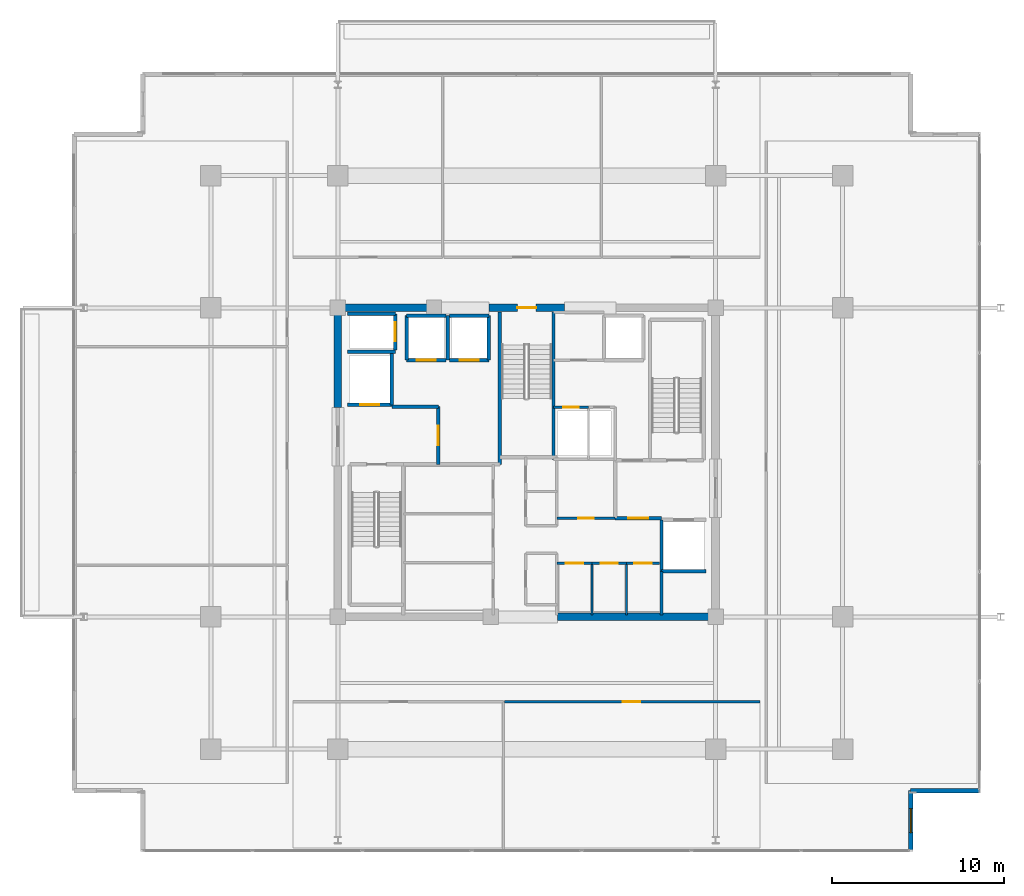
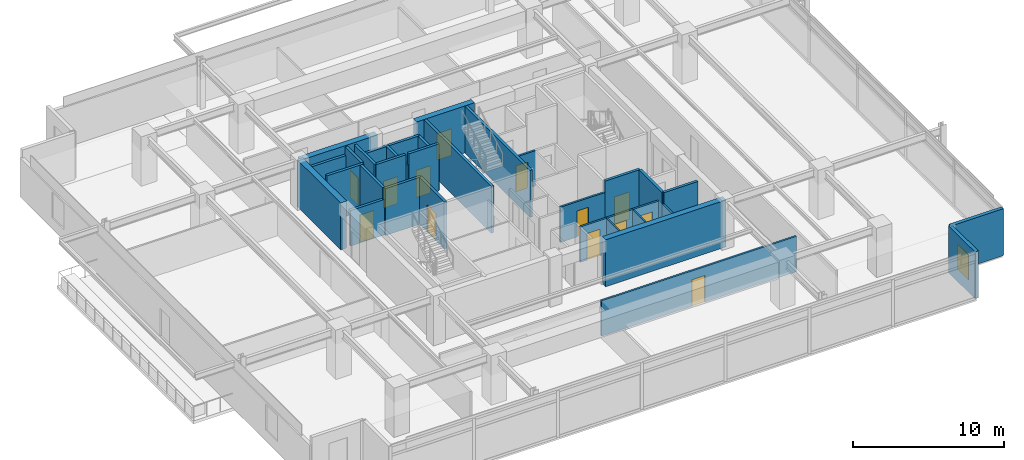
# One storey, part 16 of 21: 34 walls, 13 doors, 1 window, 14 openings.
"""IFC4 building model written with IfcOpenShell, lengths in metres."""

from ifc_helpers import new_model, si_unit, direction, frame, frame_2d, origin, place, context, subcontext, project, spatial, rectangle, extrude, material, layer, layer_set, type_object, element, fill, save


model = new_model("IFC4")

# Units and contexts
model_context = context("Model", 3, precision=1e-05, world=origin(), true_north=direction((0.0, 1.0)))
body_context = subcontext(model_context, "Body", "Model", "MODEL_VIEW")
ifc_project = project(units=[si_unit("LENGTHUNIT", "METRE"), si_unit("AREAUNIT", "SQUARE_METRE"), si_unit("VOLUMEUNIT", "CUBIC_METRE"), si_unit("PLANEANGLEUNIT", "RADIAN"), si_unit("MASSUNIT", "GRAM", prefix="KILO")], contexts=[model_context])

# Site, building, storey
site_placement = place(None, origin())
site = spatial("IfcSite", under=ifc_project, at=site_placement, CompositionType="ELEMENT")
building_placement = place(site_placement, origin())
building = spatial("IfcBuilding", under=site, at=building_placement, Name="Kovane Verandah Tower", CompositionType="ELEMENT")
storey_placement = place(building_placement, frame((0.0, 0.0, 247.199951171875)))
storey = spatial("IfcBuildingStorey", under=building, at=storey_placement, Name="L57", CompositionType="ELEMENT", Elevation=247.199951171875)

# Wall
ifc_material_1 = material(Name="Fire-Rated Gypsum Stud Partition", Category="gypsum")
ifc_layer_1 = layer(ifc_material_1, 0.14990234375)
ifc_layer_set_1 = layer_set([ifc_layer_1], Name="Fire-Rated Gypsum Stud Partition")
wall_type_1 = type_object("IfcWallType", Name="WL-COR-150", PredefinedType="PARTITIONING", material=ifc_layer_set_1)
wall_1_placement = place(storey_placement, frame((47.85009765625, 18.60009765625, 0.0), z_axis=(0.0, 0.0, 1.0), x_axis=(0.0, 1.0, 0.0)))
element("IfcWall", 1, at=wall_1_placement, inside=storey, type_object=wall_type_1, Name="L57 East Core Support East Wall", PredefinedType="PARTITIONING", context=body_context, shape_type="SweptSolid", body=[
    extrude(rectangle(XDim=2.539794921875, YDim=0.14990234375, at=frame_2d((1.27001953125, 0.0))), origin(), (0.0, 0.0, 1.0), 2.85009765625),
])

# Wall, opening, door
wall_2_placement = place(storey_placement, frame((41.760009765625, 21.6201171875, 0.0), z_axis=(0.0, 0.0, 1.0), x_axis=(1.0, 0.0, 0.0)))
wall_2 = element("IfcWall", 2, at=wall_2_placement, inside=storey, type_object=wall_type_1, Name="L57 Mail and Copy Room Partition", PredefinedType="PARTITIONING", context=body_context, shape_type="SweptSolid", body=[
    extrude(rectangle(XDim=2.0400390625, YDim=0.14990234375, at=frame_2d((1.02001953125, 0.0))), origin(), (0.0, 0.0, 1.0), 2.85009765625),
])
opening_1_placement = place(wall_2_placement, frame((0.52001953125, 0.0, 0.0)))
opening_1 = element("IfcOpeningElement", 3, at=opening_1_placement, cuts=wall_2, Name="Opening DR-L57-015", PredefinedType="OPENING", context=body_context, shape_type="SweptSolid", body=[
    extrude(rectangle(XDim=1.0, YDim=2.14990234375, at=frame_2d((0.5, 1.074951171875))), frame((0.0, 0.074951171875, 0.0), z_axis=(0.0, -1.0, 0.0), x_axis=(1.0, 0.0, 0.0)), (0.0, 0.0, 1.0), 0.14990234375),
])
ifc_material_2 = material(Name="FSC Spotted-Gum Timber Fire-Rated Office Door", Category="wood")
door_type_1 = type_object("IfcDoorType", Name="DR-OFF-1000", OperationType="SINGLE_SWING_LEFT", PredefinedType="DOOR", material=ifc_material_2)
door_1_placement = place(opening_1_placement, origin())
door_1 = element("IfcDoor", 4, at=door_1_placement, inside=storey, type_object=door_type_1, Name="L57 Mail and Copy Room Door", OperationType="SINGLE_SWING_RIGHT", OverallHeight=2.14990234375, OverallWidth=1.0, PredefinedType="DOOR", context=body_context, shape_type="SweptSolid", body=[
    extrude(rectangle(XDim=1.0, YDim=2.14990234375, at=frame_2d((0.5, 1.074951171875))), frame((0.0, 0.02490234375, 0.0), z_axis=(0.0, -1.0, 0.0), x_axis=(1.0, 0.0, 0.0)), (0.0, 0.0, 1.0), 0.050048828125),
])
fill(opening_1, door_1)

wall_3_placement = place(storey_placement, frame((43.800048828125, 21.6201171875, 0.0), z_axis=(0.0, 0.0, 1.0), x_axis=(1.0, 0.0, 0.0)))
wall_3 = element("IfcWall", 5, at=wall_3_placement, inside=storey, type_object=wall_type_1, Name="L57 First Aid Room Partition", PredefinedType="PARTITIONING", context=body_context, shape_type="SweptSolid", body=[
    extrude(rectangle(XDim=2.0, YDim=0.14990234375, at=frame_2d((1.0, 0.0))), origin(), (0.0, 0.0, 1.0), 2.85009765625),
])
opening_2_placement = place(wall_3_placement, frame((0.5, 0.0, 0.0)))
opening_2 = element("IfcOpeningElement", 6, at=opening_2_placement, cuts=wall_3, Name="Opening DR-L57-016", PredefinedType="OPENING", context=body_context, shape_type="SweptSolid", body=[
    extrude(rectangle(XDim=1.0, YDim=2.14990234375, at=frame_2d((0.5, 1.074951171875))), frame((0.0, 0.074951171875, 0.0), z_axis=(0.0, -1.0, 0.0), x_axis=(1.0, 0.0, 0.0)), (0.0, 0.0, 1.0), 0.14990234375),
])
door_2_placement = place(opening_2_placement, origin())
door_2 = element("IfcDoor", 7, at=door_2_placement, inside=storey, type_object=door_type_1, Name="L57 First Aid Room Door", OperationType="SINGLE_SWING_LEFT", OverallHeight=2.14990234375, OverallWidth=1.0, PredefinedType="DOOR", context=body_context, shape_type="SweptSolid", body=[
    extrude(rectangle(XDim=1.0, YDim=2.14990234375, at=frame_2d((0.5, 1.074951171875))), frame((0.0, 0.02490234375, 0.0), z_axis=(0.0, -1.0, 0.0), x_axis=(1.0, 0.0, 0.0)), (0.0, 0.0, 1.0), 0.050048828125),
])
fill(opening_2, door_2)

wall_4_placement = place(storey_placement, frame((45.800048828125, 21.6201171875, 0.0), z_axis=(0.0, 0.0, 1.0), x_axis=(1.0, 0.0, 0.0)))
wall_4 = element("IfcWall", 8, at=wall_4_placement, inside=storey, type_object=wall_type_1, Name="L57 Quiet Wellness Room Partition", PredefinedType="PARTITIONING", context=body_context, shape_type="SweptSolid", body=[
    extrude(rectangle(XDim=1.93994140625, YDim=0.14990234375, at=frame_2d((0.969970703125, 0.0))), origin(), (0.0, 0.0, 1.0), 2.85009765625),
])
opening_3_placement = place(wall_4_placement, frame((0.469970703125, 0.0, 0.0)))
opening_3 = element("IfcOpeningElement", 9, at=opening_3_placement, cuts=wall_4, Name="Opening DR-L57-017", PredefinedType="OPENING", context=body_context, shape_type="SweptSolid", body=[
    extrude(rectangle(XDim=1.0, YDim=2.14990234375, at=frame_2d((0.5, 1.074951171875))), frame((0.0, 0.074951171875, 0.0), z_axis=(0.0, -1.0, 0.0), x_axis=(1.0, 0.0, 0.0)), (0.0, 0.0, 1.0), 0.14990234375),
])
door_3_placement = place(opening_3_placement, origin())
door_3 = element("IfcDoor", 10, at=door_3_placement, inside=storey, type_object=door_type_1, Name="L57 Quiet Wellness Room Door", OperationType="SINGLE_SWING_RIGHT", OverallHeight=2.14990234375, OverallWidth=1.0, PredefinedType="DOOR", context=body_context, shape_type="SweptSolid", body=[
    extrude(rectangle(XDim=1.0, YDim=2.14990234375, at=frame_2d((0.5, 1.074951171875))), frame((0.0, 0.02490234375, 0.0), z_axis=(0.0, -1.0, 0.0), x_axis=(1.0, 0.0, 0.0)), (0.0, 0.0, 1.0), 0.050048828125),
])
fill(opening_3, door_3)

wall_5_placement = place(storey_placement, frame((41.760009765625, 24.25, 0.0), z_axis=(0.0, 0.0, 1.0), x_axis=(1.0, 0.0, 0.0)))
wall_5 = element("IfcWall", 11, at=wall_5_placement, inside=storey, type_object=wall_type_1, Name="L57 Supply Store Partition", PredefinedType="PARTITIONING", context=body_context, shape_type="SweptSolid", body=[
    extrude(rectangle(XDim=3.389892578125, YDim=0.14990234375, at=frame_2d((1.69482421875, 0.0))), origin(), (0.0, 0.0, 1.0), 2.85009765625),
])
opening_4_placement = place(wall_5_placement, frame((1.2548828125, 0.0, 0.0)))
opening_4 = element("IfcOpeningElement", 12, at=opening_4_placement, cuts=wall_5, Name="Opening DR-L57-018", PredefinedType="OPENING", context=body_context, shape_type="SweptSolid", body=[
    extrude(rectangle(XDim=0.8798828125, YDim=2.10009765625, at=frame_2d((0.43994140625, 1.050048828125))), frame((0.0, 0.074951171875, 0.0), z_axis=(0.0, -1.0, 0.0), x_axis=(1.0, 0.0, 0.0)), (0.0, 0.0, 1.0), 0.14990234375),
])
ifc_material_3 = material(Name="Fire-Rated Steel Riser Access Door", Category="steel")
door_type_2 = type_object("IfcDoorType", Name="DR-RISER-880", OperationType="SINGLE_SWING_LEFT", PredefinedType="DOOR", material=ifc_material_3)
door_4_placement = place(opening_4_placement, origin())
door_4 = element("IfcDoor", 13, at=door_4_placement, inside=storey, type_object=door_type_2, Name="L57 Supply Store Door", OperationType="SINGLE_SWING_LEFT", OverallHeight=2.10009765625, OverallWidth=0.8798828125, PredefinedType="DOOR", context=body_context, shape_type="SweptSolid", body=[
    extrude(rectangle(XDim=0.8798828125, YDim=2.10009765625, at=frame_2d((0.43994140625, 1.050048828125))), frame((0.0, 0.02490234375, 0.0), z_axis=(0.0, -1.0, 0.0), x_axis=(1.0, 0.0, 0.0)), (0.0, 0.0, 1.0), 0.050048828125),
])
fill(opening_4, door_4)

wall_6_placement = place(storey_placement, frame((41.56005859375, 30.719970703125, 0.0), z_axis=(0.0, 0.0, 1.0), x_axis=(1.0, 0.0, 0.0)))
wall_6 = element("IfcWall", 14, at=wall_6_placement, inside=storey, type_object=wall_type_1, Name="L57 Electrical Sub-Main Riser Room Partition", PredefinedType="PARTITIONING", context=body_context, shape_type="SweptSolid", body=[
    extrude(rectangle(XDim=2.0400390625, YDim=0.14990234375, at=frame_2d((1.02001953125, 0.0))), origin(), (0.0, 0.0, 1.0), 2.85009765625),
])
opening_5_placement = place(wall_6_placement, frame((0.580078125, 0.0, 0.0)))
opening_5 = element("IfcOpeningElement", 15, at=opening_5_placement, cuts=wall_6, Name="Opening DR-L57-020", PredefinedType="OPENING", context=body_context, shape_type="SweptSolid", body=[
    extrude(rectangle(XDim=0.8798828125, YDim=2.10009765625, at=frame_2d((0.43994140625, 1.050048828125))), frame((0.0, 0.074951171875, 0.0), z_axis=(0.0, -1.0, 0.0), x_axis=(1.0, 0.0, 0.0)), (0.0, 0.0, 1.0), 0.14990234375),
])
door_5_placement = place(opening_5_placement, origin())
door_5 = element("IfcDoor", 16, at=door_5_placement, inside=storey, type_object=door_type_2, Name="L57 Electrical Sub-Main Riser Room Door", OperationType="SINGLE_SWING_RIGHT", OverallHeight=2.10009765625, OverallWidth=0.8798828125, PredefinedType="DOOR", context=body_context, shape_type="SweptSolid", body=[
    extrude(rectangle(XDim=0.8798828125, YDim=2.10009765625, at=frame_2d((0.43994140625, 1.050048828125))), frame((0.0, 0.02490234375, 0.0), z_axis=(0.0, -1.0, 0.0), x_axis=(1.0, 0.0, 0.0)), (0.0, 0.0, 1.0), 0.050048828125),
])
fill(opening_5, door_5)

wall_7_placement = place(storey_placement, frame((38.7099609375, 13.550048828125, 0.0), z_axis=(0.0, 0.0, 1.0), x_axis=(1.0, 0.0, 0.0)))
wall_7 = element("IfcWall", 17, at=wall_7_placement, inside=storey, type_object=wall_type_1, Name="L57 Open Plan Office S2 Corridor Partition", PredefinedType="PARTITIONING", context=body_context, shape_type="SweptSolid", body=[
    extrude(rectangle(XDim=14.89013671875, YDim=0.14990234375, at=frame_2d((7.445068359375, 0.0))), origin(), (0.0, 0.0, 1.0), 2.85009765625),
])
opening_6_placement = place(wall_7_placement, frame((6.89501953125, 0.0, 0.0)))
opening_6 = element("IfcOpeningElement", 18, at=opening_6_placement, cuts=wall_7, Name="Opening DR-L57-026", PredefinedType="OPENING", context=body_context, shape_type="SweptSolid", body=[
    extrude(rectangle(XDim=1.0, YDim=2.14990234375, at=frame_2d((0.5, 1.074951171875))), frame((0.0, 0.074951171875, 0.0), z_axis=(0.0, -1.0, 0.0), x_axis=(1.0, 0.0, 0.0)), (0.0, 0.0, 1.0), 0.14990234375),
])
door_6_placement = place(opening_6_placement, origin())
door_6 = element("IfcDoor", 19, at=door_6_placement, inside=storey, type_object=door_type_1, Name="L57 Open Plan Office S2 Entrance Door", OperationType="SINGLE_SWING_LEFT", OverallHeight=2.14990234375, OverallWidth=1.0, PredefinedType="DOOR", context=body_context, shape_type="SweptSolid", body=[
    extrude(rectangle(XDim=1.0, YDim=2.14990234375, at=frame_2d((0.5, 1.074951171875))), frame((0.0, 0.02490234375, 0.0), z_axis=(0.0, -1.0, 0.0), x_axis=(1.0, 0.0, 0.0)), (0.0, 0.0, 1.0), 0.050048828125),
])
fill(opening_6, door_6)

# Walls
ifc_material_4 = material(Name="Concrete C60/75", Category="concrete")
ifc_layer_2 = layer(ifc_material_4, 0.449951171875)
ifc_layer_set_2 = layer_set([ifc_layer_2], Name="Concrete C60/75")
wall_type_2 = type_object("IfcWallType", Name="WL-CORE-450", PredefinedType="SHEAR", material=ifc_layer_set_2)
wall_8_placement = place(storey_placement, frame((41.800048828125, 18.5, 0.0), z_axis=(0.0, 0.0, 1.0), x_axis=(1.0, 0.0, 0.0)))
element("IfcWall", 20, at=wall_8_placement, inside=storey, type_object=wall_type_2, Name="L57 Core Shear Wall CS-2", PredefinedType="SHEAR", context=body_context, shape_type="SweptSolid", body=[
    extrude(rectangle(XDim=9.199951171875, YDim=0.449951171875, at=frame_2d((4.60009765625, 0.0))), origin(), (0.0, 0.0, 1.0), 3.78515625),
])
wall_9_placement = place(storey_placement, frame((29.0, 36.5, 0.0), z_axis=(0.0, 0.0, 1.0), x_axis=(1.0, 0.0, 0.0)))
element("IfcWall", 21, at=wall_9_placement, inside=storey, type_object=wall_type_2, Name="L57 Core Shear Wall CN-1", PredefinedType="SHEAR", context=body_context, shape_type="SweptSolid", body=[
    extrude(rectangle(XDim=5.800048828125, YDim=0.449951171875, at=frame_2d((2.89990234375, 0.0))), origin(), (0.0, 0.0, 1.0), 3.78515625),
])

# Wall, opening, door
wall_10_placement = place(storey_placement, frame((37.800048828125, 36.5, 0.0), z_axis=(0.0, 0.0, 1.0), x_axis=(1.0, 0.0, 0.0)))
wall_10 = element("IfcWall", 22, at=wall_10_placement, inside=storey, type_object=wall_type_2, Name="L57 Core Shear Wall CN-2", PredefinedType="SHEAR", context=body_context, shape_type="SweptSolid", body=[
    extrude(rectangle(XDim=4.39990234375, YDim=0.449951171875, at=frame_2d((2.199951171875, 0.0))), origin(), (0.0, 0.0, 1.0), 3.78515625),
])
opening_7_placement = place(wall_10_placement, frame((1.64990234375, 0.0, 0.0)))
opening_7 = element("IfcOpeningElement", 23, at=opening_7_placement, cuts=wall_10, Name="Opening DR-L57-010", PredefinedType="OPENING", context=body_context, shape_type="SweptSolid", body=[
    extrude(rectangle(XDim=1.10009765625, YDim=2.14990234375, at=frame_2d((0.550048828125, 1.074951171875))), frame((0.0, 0.22509765625, 0.0), z_axis=(0.0, -1.0, 0.0), x_axis=(1.0, 0.0, 0.0)), (0.0, 0.0, 1.0), 0.449951171875),
])
ifc_material_5 = material(Name="Fire-Rated Steel Exit Door", Category="steel")
door_type_3 = type_object("IfcDoorType", Name="DR-STAIR-1100", OperationType="SINGLE_SWING_LEFT", PredefinedType="DOOR", material=ifc_material_5)
door_7_placement = place(opening_7_placement, origin())
door_7 = element("IfcDoor", 24, at=door_7_placement, inside=storey, type_object=door_type_3, Name="L57 ST-03 Fire Exit Stair Door", OperationType="SINGLE_SWING_LEFT", OverallHeight=2.14990234375, OverallWidth=1.10009765625, PredefinedType="DOOR", context=body_context, shape_type="SweptSolid", body=[
    extrude(rectangle(XDim=1.10009765625, YDim=2.14990234375, at=frame_2d((0.550048828125, 1.074951171875))), frame((0.0, 0.02490234375, 0.0), z_axis=(0.0, -1.0, 0.0), x_axis=(1.0, 0.0, 0.0)), (0.0, 0.0, 1.0), 0.050048828125),
])
fill(opening_7, door_7)

# Wall
wall_11_placement = place(storey_placement, frame((29.0, 30.699951171875, 0.0), z_axis=(0.0, 0.0, 1.0), x_axis=(0.0, 1.0, 0.0)))
element("IfcWall", 25, at=wall_11_placement, inside=storey, type_object=wall_type_2, Name="L57 Core Shear Wall CW-2", PredefinedType="SHEAR", context=body_context, shape_type="SweptSolid", body=[
    extrude(rectangle(XDim=5.800048828125, YDim=0.449951171875, at=frame_2d((2.89990234375, 0.0))), origin(), (0.0, 0.0, 1.0), 3.78515625),
])

# Wall, opening, door
ifc_material_6 = material(Name="Concrete C45/55 Fire Wall", Category="concrete")
ifc_layer_3 = layer(ifc_material_6, 0.199951171875)
ifc_layer_set_3 = layer_set([ifc_layer_3], Name="Concrete C45/55 Fire Wall")
wall_type_3 = type_object("IfcWallType", Name="WL-FFL-200", PredefinedType="PARTITIONING", material=ifc_layer_set_3)
wall_12_placement = place(storey_placement, frame((34.85009765625, 27.3798828125, 0.0), z_axis=(0.0, 0.0, 1.0), x_axis=(0.0, 1.0, 0.0)))
wall_12 = element("IfcWall", 26, at=wall_12_placement, inside=storey, type_object=wall_type_3, Name="W-L57-FFLW-E", PredefinedType="PARTITIONING", context=body_context, shape_type="SweptSolid", body=[
    extrude(rectangle(XDim=3.3701171875, YDim=0.199951171875, at=frame_2d((1.68505859375, 0.0))), origin(), (0.0, 0.0, 1.0), 3.78515625),
])
opening_8_placement = place(wall_12_placement, frame((1.110107421875, 0.0, 0.0)))
opening_8 = element("IfcOpeningElement", 27, at=opening_8_placement, cuts=wall_12, Name="Opening DR-L57-006", PredefinedType="OPENING", context=body_context, shape_type="SweptSolid", body=[
    extrude(rectangle(XDim=1.14990234375, YDim=2.199951171875, at=frame_2d((0.574951171875, 1.10009765625))), frame((0.0, 0.10009765625, 0.0), z_axis=(0.0, -1.0, 0.0), x_axis=(1.0, 0.0, 0.0)), (0.0, 0.0, 1.0), 0.199951171875),
])
ifc_material_7 = material(Name="Smoke-Sealed Firefighting Lobby Door", Category="steel")
door_type_4 = type_object("IfcDoorType", Name="DR-FFL-1150", OperationType="SINGLE_SWING_LEFT", PredefinedType="DOOR", material=ifc_material_7)
door_8_placement = place(opening_8_placement, origin())
door_8 = element("IfcDoor", 28, at=door_8_placement, inside=storey, type_object=door_type_4, Name="L57 West Firefighting Lobby Inner Door", OperationType="SINGLE_SWING_LEFT", OverallHeight=2.199951171875, OverallWidth=1.14990234375, PredefinedType="DOOR", context=body_context, shape_type="SweptSolid", body=[
    extrude(rectangle(XDim=1.14990234375, YDim=2.199951171875, at=frame_2d((0.574951171875, 1.10009765625))), frame((0.0, 0.02490234375, 0.0), z_axis=(0.0, -1.0, 0.0), x_axis=(1.0, 0.0, 0.0)), (0.0, 0.0, 1.0), 0.050048828125),
])
fill(opening_8, door_8)

# Wall
wall_13_placement = place(storey_placement, frame((32.14990234375, 30.75, 0.0), z_axis=(0.0, 0.0, 1.0), x_axis=(1.0, 0.0, 0.0)))
element("IfcWall", 29, at=wall_13_placement, inside=storey, type_object=wall_type_3, Name="L57 West Firefighting Lobby North Fire Wall", PredefinedType="PARTITIONING", context=body_context, shape_type="SweptSolid", body=[
    extrude(rectangle(XDim=2.7001953125, YDim=0.199951171875, at=frame_2d((1.35009765625, 0.0))), origin(), (0.0, 0.0, 1.0), 3.78515625),
])

# Wall, opening, door
wall_14_placement = place(storey_placement, frame((45.14990234375, 24.25, 0.0), z_axis=(0.0, 0.0, 1.0), x_axis=(1.0, 0.0, 0.0)))
wall_14 = element("IfcWall", 30, at=wall_14_placement, inside=storey, type_object=wall_type_3, Name="W-L57-FFLE-S", PredefinedType="PARTITIONING", context=body_context, shape_type="SweptSolid", body=[
    extrude(rectangle(XDim=2.7001953125, YDim=0.199951171875, at=frame_2d((1.35009765625, 0.0))), origin(), (0.0, 0.0, 1.0), 3.78515625),
])
opening_9_placement = place(wall_14_placement, frame((0.77490234375, 0.0, 0.0)))
opening_9 = element("IfcOpeningElement", 31, at=opening_9_placement, cuts=wall_14, Name="Opening DR-L57-003", PredefinedType="OPENING", context=body_context, shape_type="SweptSolid", body=[
    extrude(rectangle(XDim=1.14990234375, YDim=2.199951171875, at=frame_2d((0.574951171875, 1.10009765625))), frame((0.0, 0.10009765625, 0.0), z_axis=(0.0, -1.0, 0.0), x_axis=(1.0, 0.0, 0.0)), (0.0, 0.0, 1.0), 0.199951171875),
])
door_9_placement = place(opening_9_placement, origin())
door_9 = element("IfcDoor", 32, at=door_9_placement, inside=storey, type_object=door_type_4, Name="L57 East Firefighting Lobby Inner Door", OperationType="SINGLE_SWING_RIGHT", OverallHeight=2.199951171875, OverallWidth=1.14990234375, PredefinedType="DOOR", context=body_context, shape_type="SweptSolid", body=[
    extrude(rectangle(XDim=1.14990234375, YDim=2.199951171875, at=frame_2d((0.574951171875, 1.10009765625))), frame((0.0, 0.02490234375, 0.0), z_axis=(0.0, -1.0, 0.0), x_axis=(1.0, 0.0, 0.0)), (0.0, 0.0, 1.0), 0.050048828125),
])
fill(opening_9, door_9)

ifc_material_8 = material(Name="Concrete C45/55 Lift Shaft Wall", Category="concrete")
ifc_layer_4 = layer(ifc_material_8, 0.199951171875)
ifc_layer_set_4 = layer_set([ifc_layer_4], Name="Concrete C45/55 Lift Shaft Wall")
wall_type_4 = type_object("IfcWallType", Name="WL-LIFT-200", PredefinedType="SOLIDWALL", material=ifc_layer_set_4)
wall_15_placement = place(storey_placement, frame((29.550048828125, 30.85009765625, 0.0), z_axis=(0.0, 0.0, 1.0), x_axis=(1.0, 0.0, 0.0)))
wall_15 = element("IfcWall", 33, at=wall_15_placement, inside=storey, type_object=wall_type_4, Name="L57 Lift FL-01 S Shaft Wall", PredefinedType="SOLIDWALL", context=body_context, shape_type="SweptSolid", body=[
    extrude(rectangle(XDim=2.599853515625, YDim=0.199951171875, at=frame_2d((1.2998046875, 0.0))), origin(), (0.0, 0.0, 1.0), 2.864990234375),
])
opening_10_placement = place(wall_15_placement, frame((0.75, 0.0, 0.0)))
opening_10 = element("IfcOpeningElement", 34, at=opening_10_placement, cuts=wall_15, Name="Opening LD-L57-001", PredefinedType="OPENING", context=body_context, shape_type="SweptSolid", body=[
    extrude(rectangle(XDim=1.10009765625, YDim=2.199951171875, at=frame_2d((0.550048828125, 1.10009765625))), frame((0.0, 0.10009765625, 0.0), z_axis=(0.0, -1.0, 0.0), x_axis=(1.0, 0.0, 0.0)), (0.0, 0.0, 1.0), 0.199951171875),
])
ifc_material_9 = material(Name="Brushed Stainless Steel Sliding Lift Landing Door", Category="steel")
door_type_5 = type_object("IfcDoorType", Name="DR-LIFT-1100", OperationType="SLIDING_TO_RIGHT", PredefinedType="DOOR", material=ifc_material_9)
door_10_placement = place(opening_10_placement, origin())
door_10 = element("IfcDoor", 35, at=door_10_placement, inside=storey, type_object=door_type_5, Name="L57 Lift FL-01 Sliding Landing Door", OperationType="SLIDING_TO_RIGHT", OverallHeight=2.199951171875, OverallWidth=1.10009765625, PredefinedType="DOOR", context=body_context, shape_type="SweptSolid", body=[
    extrude(rectangle(XDim=1.10009765625, YDim=2.199951171875, at=frame_2d((0.550048828125, 1.10009765625))), frame((0.0, 0.02490234375, 0.0), z_axis=(0.0, -1.0, 0.0), x_axis=(1.0, 0.0, 0.0)), (0.0, 0.0, 1.0), 0.050048828125),
])
fill(opening_10, door_10)

# Walls
wall_16_placement = place(storey_placement, frame((29.550048828125, 33.949951171875, 0.0), z_axis=(0.0, 0.0, 1.0), x_axis=(1.0, 0.0, 0.0)))
element("IfcWall", 36, at=wall_16_placement, inside=storey, type_object=wall_type_4, Name="L57 Lift FL-01 and GL-01 Shared Shaft Wall", PredefinedType="SOLIDWALL", context=body_context, shape_type="SweptSolid", body=[
    extrude(rectangle(XDim=2.800048828125, YDim=0.199951171875, at=frame_2d((1.39990234375, 0.0))), origin(), (0.0, 0.0, 1.0), 3.78515625),
])
wall_17_placement = place(storey_placement, frame((32.14990234375, 30.85009765625, 0.0), z_axis=(0.0, 0.0, 1.0), x_axis=(0.0, 1.0, 0.0)))
element("IfcWall", 37, at=wall_17_placement, inside=storey, type_object=wall_type_4, Name="L57 Lift FL-01 E Shaft Wall", PredefinedType="SOLIDWALL", context=body_context, shape_type="SweptSolid", body=[
    extrude(rectangle(XDim=3.0, YDim=0.199951171875, at=frame_2d((1.5, 0.0))), origin(), (0.0, 0.0, 1.0), 3.78515625),
])
wall_18_placement = place(storey_placement, frame((47.85009765625, 21.14990234375, 0.0), z_axis=(0.0, 0.0, 1.0), x_axis=(1.0, 0.0, 0.0)))
element("IfcWall", 38, at=wall_18_placement, inside=storey, type_object=wall_type_4, Name="L57 Lift FL-02 S Shaft Wall", PredefinedType="SOLIDWALL", context=body_context, shape_type="SweptSolid", body=[
    extrude(rectangle(XDim=2.599853515625, YDim=0.199951171875, at=frame_2d((1.2998046875, 0.0))), origin(), (0.0, 0.0, 1.0), 3.78515625),
])
wall_19_placement = place(storey_placement, frame((47.85009765625, 24.14990234375, 0.0), z_axis=(0.0, 0.0, 1.0), x_axis=(0.0, -1.0, 0.0)))
element("IfcWall", 39, at=wall_19_placement, inside=storey, type_object=wall_type_4, Name="L57 Lift FL-02 W Shaft Wall", PredefinedType="SOLIDWALL", context=body_context, shape_type="SweptSolid", body=[
    extrude(rectangle(XDim=3.0, YDim=0.199951171875, at=frame_2d((1.5, 0.0))), origin(), (0.0, 0.0, 1.0), 3.78515625),
])
wall_20_placement = place(storey_placement, frame((32.35009765625, 36.14990234375, 0.0), z_axis=(0.0, 0.0, 1.0), x_axis=(-1.0, 0.0, 0.0)))
element("IfcWall", 40, at=wall_20_placement, inside=storey, type_object=wall_type_4, Name="L57 Lift GL-01 N Shaft Wall", PredefinedType="SOLIDWALL", context=body_context, shape_type="SweptSolid", body=[
    extrude(rectangle(XDim=2.800048828125, YDim=0.199951171875, at=frame_2d((1.39990234375, 0.0))), origin(), (0.0, 0.0, 1.0), 3.14794921875),
])

# Wall, opening, door
wall_21_placement = place(storey_placement, frame((32.35009765625, 34.050048828125, 0.0), z_axis=(0.0, 0.0, 1.0), x_axis=(0.0, 1.0, 0.0)))
wall_21 = element("IfcWall", 41, at=wall_21_placement, inside=storey, type_object=wall_type_4, Name="L57 Lift GL-01 E Shaft Wall", PredefinedType="SOLIDWALL", context=body_context, shape_type="SweptSolid", body=[
    extrude(rectangle(XDim=2.099853515625, YDim=0.199951171875, at=frame_2d((1.0498046875, 0.0))), origin(), (0.0, 0.0, 1.0), 3.78515625),
])
opening_11_placement = place(wall_21_placement, frame((0.5, 0.0, 0.0)))
opening_11 = element("IfcOpeningElement", 42, at=opening_11_placement, cuts=wall_21, Name="Opening LD-L57-003", PredefinedType="OPENING", context=body_context, shape_type="SweptSolid", body=[
    extrude(rectangle(XDim=1.10009765625, YDim=2.199951171875, at=frame_2d((0.550048828125, 1.10009765625))), frame((0.0, 0.10009765625, 0.0), z_axis=(0.0, -1.0, 0.0), x_axis=(1.0, 0.0, 0.0)), (0.0, 0.0, 1.0), 0.199951171875),
])
door_11_placement = place(opening_11_placement, origin())
door_11 = element("IfcDoor", 43, at=door_11_placement, inside=storey, type_object=door_type_5, Name="L57 Lift GL-01 Sliding Landing Door", OperationType="SLIDING_TO_RIGHT", OverallHeight=2.199951171875, OverallWidth=1.10009765625, PredefinedType="DOOR", context=body_context, shape_type="SweptSolid", body=[
    extrude(rectangle(XDim=1.10009765625, YDim=2.199951171875, at=frame_2d((0.550048828125, 1.10009765625))), frame((0.0, 0.02490234375, 0.0), z_axis=(0.0, -1.0, 0.0), x_axis=(1.0, 0.0, 0.0)), (0.0, 0.0, 1.0), 0.050048828125),
])
fill(opening_11, door_11)

wall_22_placement = place(storey_placement, frame((33.0, 33.449951171875, 0.0), z_axis=(0.0, 0.0, 1.0), x_axis=(1.0, 0.0, 0.0)))
wall_22 = element("IfcWall", 44, at=wall_22_placement, inside=storey, type_object=wall_type_4, Name="L57 Lift PL-H1 S Shaft Wall", PredefinedType="SOLIDWALL", context=body_context, shape_type="SweptSolid", body=[
    extrude(rectangle(XDim=2.300048828125, YDim=0.199951171875, at=frame_2d((1.14990234375, 0.0))), origin(), (0.0, 0.0, 1.0), 3.78515625),
])
opening_12_placement = place(wall_22_placement, frame((0.60009765625, 0.0, 0.0)))
opening_12 = element("IfcOpeningElement", 45, at=opening_12_placement, cuts=wall_22, Name="Opening LD-L57-004", PredefinedType="OPENING", context=body_context, shape_type="SweptSolid", body=[
    extrude(rectangle(XDim=1.10009765625, YDim=2.199951171875, at=frame_2d((0.550048828125, 1.10009765625))), frame((0.0, 0.10009765625, 0.0), z_axis=(0.0, -1.0, 0.0), x_axis=(1.0, 0.0, 0.0)), (0.0, 0.0, 1.0), 0.199951171875),
])
door_12_placement = place(opening_12_placement, origin())
door_12 = element("IfcDoor", 46, at=door_12_placement, inside=storey, type_object=door_type_5, Name="L57 Lift PL-H1 Sliding Landing Door", OperationType="SLIDING_TO_RIGHT", OverallHeight=2.199951171875, OverallWidth=1.10009765625, PredefinedType="DOOR", context=body_context, shape_type="SweptSolid", body=[
    extrude(rectangle(XDim=1.10009765625, YDim=2.199951171875, at=frame_2d((0.550048828125, 1.10009765625))), frame((0.0, 0.02490234375, 0.0), z_axis=(0.0, -1.0, 0.0), x_axis=(1.0, 0.0, 0.0)), (0.0, 0.0, 1.0), 0.050048828125),
])
fill(opening_12, door_12)

# Walls
wall_23_placement = place(storey_placement, frame((35.300048828125, 36.050048828125, 0.0), z_axis=(0.0, 0.0, 1.0), x_axis=(-1.0, 0.0, 0.0)))
element("IfcWall", 47, at=wall_23_placement, inside=storey, type_object=wall_type_4, Name="L57 Lift PL-H1 N Shaft Wall", PredefinedType="SOLIDWALL", context=body_context, shape_type="SweptSolid", body=[
    extrude(rectangle(XDim=2.300048828125, YDim=0.199951171875, at=frame_2d((1.14990234375, 0.0))), origin(), (0.0, 0.0, 1.0), 2.864990234375),
])
wall_24_placement = place(storey_placement, frame((33.0, 36.050048828125, 0.0), z_axis=(0.0, 0.0, 1.0), x_axis=(0.0, -1.0, 0.0)))
element("IfcWall", 48, at=wall_24_placement, inside=storey, type_object=wall_type_4, Name="L57 Lift PL-H1 W Shaft Wall", PredefinedType="SOLIDWALL", context=body_context, shape_type="SweptSolid", body=[
    extrude(rectangle(XDim=2.60009765625, YDim=0.199951171875, at=frame_2d((1.300048828125, 0.0))), origin(), (0.0, 0.0, 1.0), 3.78515625),
])
wall_25_placement = place(storey_placement, frame((35.39990234375, 33.449951171875, 0.0), z_axis=(0.0, 0.0, 1.0), x_axis=(0.0, 1.0, 0.0)))
element("IfcWall", 49, at=wall_25_placement, inside=storey, type_object=wall_type_4, Name="L57 Lift PL-H1 and PL-H2 Shared Shaft Wall", PredefinedType="SOLIDWALL", context=body_context, shape_type="SweptSolid", body=[
    extrude(rectangle(XDim=2.60009765625, YDim=0.199951171875, at=frame_2d((1.300048828125, 0.0))), origin(), (0.0, 0.0, 1.0), 2.864990234375),
])

# Wall, opening, door
wall_26_placement = place(storey_placement, frame((35.5, 33.449951171875, 0.0), z_axis=(0.0, 0.0, 1.0), x_axis=(1.0, 0.0, 0.0)))
wall_26 = element("IfcWall", 50, at=wall_26_placement, inside=storey, type_object=wall_type_4, Name="L57 Lift PL-H2 S Shaft Wall", PredefinedType="SOLIDWALL", context=body_context, shape_type="SweptSolid", body=[
    extrude(rectangle(XDim=2.300048828125, YDim=0.199951171875, at=frame_2d((1.14990234375, 0.0))), origin(), (0.0, 0.0, 1.0), 3.78515625),
])
opening_13_placement = place(wall_26_placement, frame((0.60009765625, 0.0, 0.0)))
opening_13 = element("IfcOpeningElement", 51, at=opening_13_placement, cuts=wall_26, Name="Opening LD-L57-005", PredefinedType="OPENING", context=body_context, shape_type="SweptSolid", body=[
    extrude(rectangle(XDim=1.10009765625, YDim=2.199951171875, at=frame_2d((0.550048828125, 1.10009765625))), frame((0.0, 0.10009765625, 0.0), z_axis=(0.0, -1.0, 0.0), x_axis=(1.0, 0.0, 0.0)), (0.0, 0.0, 1.0), 0.199951171875),
])
door_13_placement = place(opening_13_placement, origin())
door_13 = element("IfcDoor", 52, at=door_13_placement, inside=storey, type_object=door_type_5, Name="L57 Lift PL-H2 Sliding Landing Door", OperationType="SLIDING_TO_RIGHT", OverallHeight=2.199951171875, OverallWidth=1.10009765625, PredefinedType="DOOR", context=body_context, shape_type="SweptSolid", body=[
    extrude(rectangle(XDim=1.10009765625, YDim=2.199951171875, at=frame_2d((0.550048828125, 1.10009765625))), frame((0.0, 0.02490234375, 0.0), z_axis=(0.0, -1.0, 0.0), x_axis=(1.0, 0.0, 0.0)), (0.0, 0.0, 1.0), 0.050048828125),
])
fill(opening_13, door_13)

# Walls
wall_27_placement = place(storey_placement, frame((37.800048828125, 36.050048828125, 0.0), z_axis=(0.0, 0.0, 1.0), x_axis=(-1.0, 0.0, 0.0)))
element("IfcWall", 53, at=wall_27_placement, inside=storey, type_object=wall_type_4, Name="L57 Lift PL-H2 N Shaft Wall", PredefinedType="SOLIDWALL", context=body_context, shape_type="SweptSolid", body=[
    extrude(rectangle(XDim=2.300048828125, YDim=0.199951171875, at=frame_2d((1.14990234375, 0.0))), origin(), (0.0, 0.0, 1.0), 2.864990234375),
])
wall_28_placement = place(storey_placement, frame((37.800048828125, 33.449951171875, 0.0), z_axis=(0.0, 0.0, 1.0), x_axis=(0.0, 1.0, 0.0)))
element("IfcWall", 54, at=wall_28_placement, inside=storey, type_object=wall_type_4, Name="L57 Lift PL-H2 E Shaft Wall", PredefinedType="SOLIDWALL", context=body_context, shape_type="SweptSolid", body=[
    extrude(rectangle(XDim=2.60009765625, YDim=0.199951171875, at=frame_2d((1.300048828125, 0.0))), origin(), (0.0, 0.0, 1.0), 2.864990234375),
])
ifc_material_10 = material(Name="Acoustic Fire-Rated Gypsum Partition", Category="gypsum")
ifc_layer_5 = layer(ifc_material_10, 0.1201171875)
ifc_layer_set_5 = layer_set([ifc_layer_5], Name="Acoustic Fire-Rated Gypsum Partition")
wall_type_5 = type_object("IfcWallType", Name="WL-PART-120", PredefinedType="PARTITIONING", material=ifc_layer_set_5)
for number, where, z_axis, x_axis, name in (
    (55, (43.800048828125, 18.60009765625, 0.0), (0.0, 0.0, 1.0), (0.0, 1.0, 0.0), "L57 East Core Support Dividing Partition 1"),
    (56, (45.800048828125, 18.60009765625, 0.0), (0.0, 0.0, 1.0), (0.0, 1.0, 0.0), "L57 East Core Support Dividing Partition 2"),
):
    element("IfcWall", number, at=place(storey_placement, frame(where, z_axis=z_axis, x_axis=x_axis)), inside=storey, type_object=wall_type_5, Name=name, PredefinedType="PARTITIONING", context=body_context, shape_type="SweptSolid", body=[
        extrude(rectangle(XDim=3.02001953125, YDim=0.1201171875, at=frame_2d((1.510009765625, 0.0))), origin(), (0.0, 0.0, 1.0), 2.85009765625),
    ])
ifc_material_11 = material(Name="Concrete C45/55", Category="concrete")
ifc_layer_6 = layer(ifc_material_11, 0.199951171875)
ifc_layer_set_6 = layer_set([ifc_layer_6], Name="Concrete C45/55")
wall_type_6 = type_object("IfcWallType", Name="WL-SHAFT-200", PredefinedType="SOLIDWALL", material=ifc_layer_set_6)
wall_29_placement = place(storey_placement, frame((38.43994140625, 27.3798828125, 0.0), z_axis=(0.0, 0.0, 1.0), x_axis=(0.0, 1.0, 0.0)))
element("IfcWall", 57, at=wall_29_placement, inside=storey, type_object=wall_type_6, Name="W-L57-ST03-W", PredefinedType="SOLIDWALL", context=body_context, shape_type="SweptSolid", body=[
    extrude(rectangle(XDim=8.8701171875, YDim=0.199951171875, at=frame_2d((4.43505859375, 0.0))), origin(), (0.0, 0.0, 1.0), 3.78515625),
])
wall_30_placement = place(storey_placement, frame((41.56005859375, 27.679931640625, 0.0), z_axis=(0.0, 0.0, 1.0), x_axis=(0.0, 1.0, 0.0)))
element("IfcWall", 58, at=wall_30_placement, inside=storey, type_object=wall_type_6, Name="W-L57-ST03-E", PredefinedType="SOLIDWALL", context=body_context, shape_type="SweptSolid", body=[
    extrude(rectangle(XDim=8.570068359375, YDim=0.199951171875, at=frame_2d((4.28515625, 0.0))), origin(), (0.0, 0.0, 1.0), 3.78515625),
])

# Wall, opening, window
ifc_material_12 = material(Name="Concrete C45/55 Insulated Spandrel Wall", Category="concrete")
ifc_layer_7 = layer(ifc_material_12, 0.260009765625)
ifc_layer_set_7 = layer_set([ifc_layer_7], Name="Concrete C45/55 Insulated Spandrel Wall")
wall_type_7 = type_object("IfcWallType", Name="WL-SPANDREL-260", PredefinedType="PARAPET", material=ifc_layer_set_7)
wall_31_placement = place(storey_placement, frame((62.366455078125, 4.8818359375, 0.0), z_axis=(0.0, 0.0, 1.0), x_axis=(0.0, 1.0, 0.0)))
wall_31 = element("IfcWall", 59, at=wall_31_placement, inside=storey, type_object=wall_type_7, Name="L57 SE Notch Cheek Wall 1", PredefinedType="PARAPET", context=body_context, shape_type="SweptSolid", body=[
    extrude(rectangle(XDim=3.5, YDim=0.260009765625, at=frame_2d((1.75, 0.0))), origin(), (0.0, 0.0, 1.0), 3.78515625),
])
opening_14_placement = place(wall_31_placement, frame((1.050048828125, 0.0, 0.85009765625)))
opening_14 = element("IfcOpeningElement", 60, at=opening_14_placement, cuts=wall_31, Name="Opening W-01", PredefinedType="OPENING", context=body_context, shape_type="SweptSolid", body=[
    extrude(rectangle(XDim=1.39990234375, YDim=2.0, at=frame_2d((0.699951171875, 1.0))), frame((0.0, 0.1298828125, 0.0), z_axis=(0.0, -1.0, 0.0), x_axis=(1.0, 0.0, 0.0)), (0.0, 0.0, 1.0), 0.260009765625),
])
ifc_material_13 = material(Name="Clear Low-E Laminated Double Glazing in Anodised Frame", Category="glass")
window_type = type_object("IfcWindowType", Name="WN-OPER-1400x2000", PartitioningType="SINGLE_PANEL", PredefinedType="WINDOW", material=ifc_material_13)
window_placement = place(opening_14_placement, origin())
window = element("IfcWindow", 61, at=window_placement, inside=storey, type_object=window_type, Name="L57 SE Re-Entrant Corner Operable Window", OverallHeight=2.0, OverallWidth=1.39990234375, PartitioningType="SINGLE_PANEL", PredefinedType="WINDOW", context=body_context, shape_type="SweptSolid", body=[
    extrude(rectangle(XDim=1.39990234375, YDim=2.0, at=frame_2d((0.699951171875, 1.0))), frame((0.0, 0.030029296875, 0.0), z_axis=(0.0, -1.0, 0.0), x_axis=(1.0, 0.0, 0.0)), (0.0, 0.0, 1.0), 0.06005859375),
])
fill(opening_14, window)

# Wall
wall_32_placement = place(storey_placement, frame((62.366455078125, 8.3818359375, 0.0), z_axis=(0.0, 0.0, 1.0), x_axis=(1.0, 0.0, 0.0)))
element("IfcWall", 62, at=wall_32_placement, inside=storey, type_object=wall_type_7, Name="L57 SE Notch Cheek Wall 2", PredefinedType="PARAPET", context=body_context, shape_type="SweptSolid", body=[
    extrude(rectangle(XDim=4.0, YDim=0.260009765625, at=frame_2d((2.0, 0.0))), origin(), (0.0, 0.0, 1.0), 3.78515625),
])

save(model, "model.ifc")
